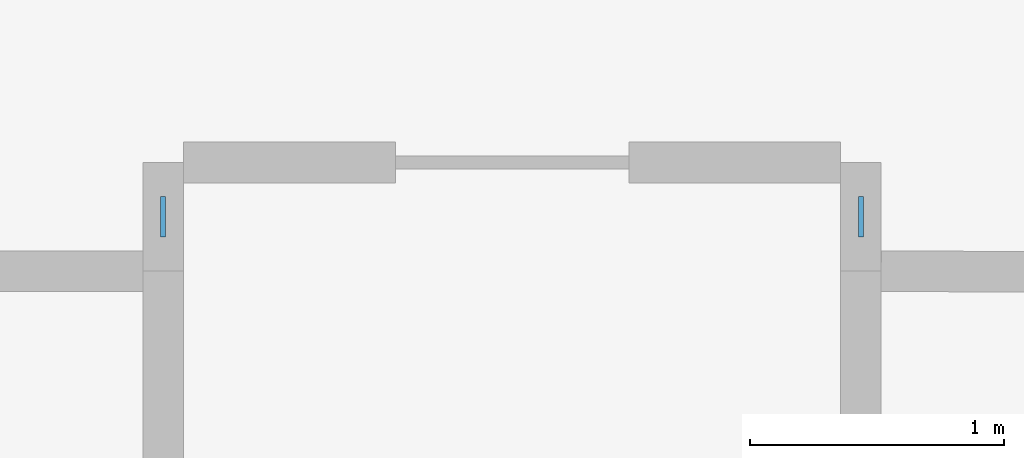
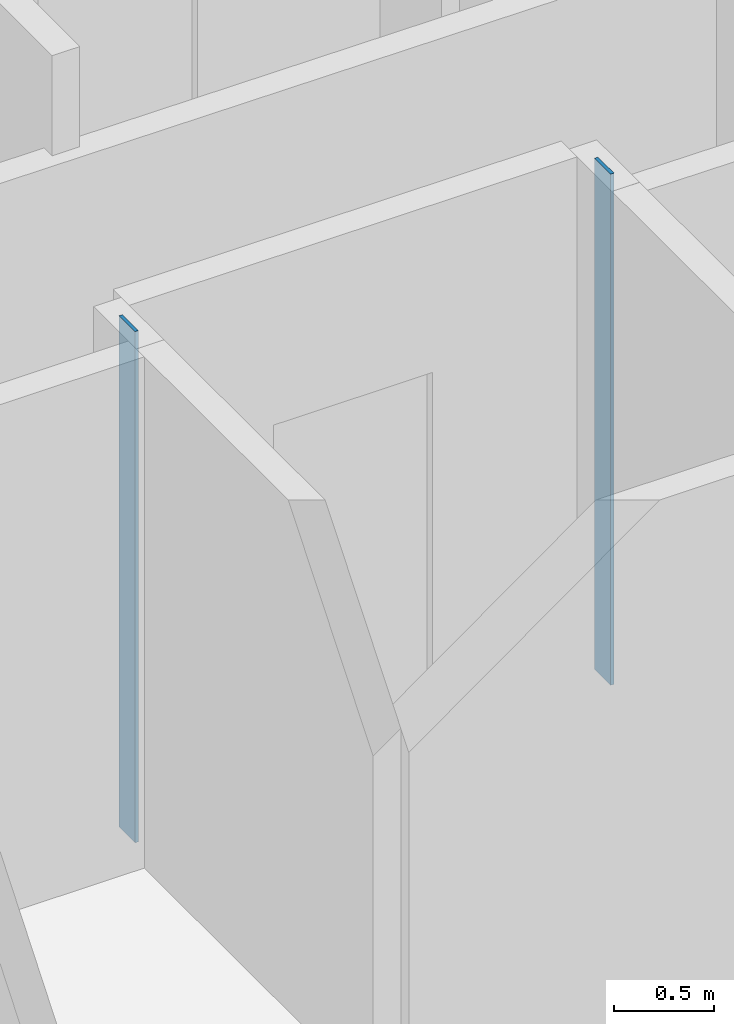
# One storey, part 4 of 13: 2 plates.
"""IFC4 building model written with IfcOpenShell, lengths in metres."""

from ifc_helpers import new_model, si_unit, direction, frame, origin, origin_2d, place, context, subcontext, project, spatial, rectangle, extrude, material, layer, layer_set, type_object, element, save


model = new_model("IFC4")

# Units and contexts
model_context = context("Model", 3, precision=1e-05, world=origin(), true_north=direction((0.0, 1.0)))
body_context = subcontext(model_context, "Body", "Model", "MODEL_VIEW")
ifc_project = project(units=[si_unit("LENGTHUNIT", "METRE"), si_unit("AREAUNIT", "SQUARE_METRE"), si_unit("VOLUMEUNIT", "CUBIC_METRE"), si_unit("PLANEANGLEUNIT", "RADIAN"), si_unit("MASSUNIT", "GRAM", prefix="KILO")], contexts=[model_context])

# Site, building, storey
site_placement = place(None, origin())
site = spatial("IfcSite", under=ifc_project, at=site_placement, CompositionType="ELEMENT")
building_placement = place(site_placement, origin())
building = spatial("IfcBuilding", under=site, at=building_placement, Name="Miruveldt Soraemaru", CompositionType="ELEMENT")
storey_placement = place(building_placement, frame((0.0, 0.0, 59.800048828125)))
storey = spatial("IfcBuildingStorey", under=building, at=storey_placement, Name="L16", CompositionType="ELEMENT", Elevation=59.800048828125)

# Plates
ifc_material = material(Name="Anodised aluminium EN AW-6063 T6", Category="aluminium")
ifc_layer = layer(ifc_material, 0.02001953125, Name="Anodised aluminium EN AW-6063 T6", Category="aluminium")
ifc_layer_set = layer_set([ifc_layer], Name="Anodised aluminium EN AW-6063 T6")
plate_type = type_object("IfcPlateType", Name="PLT-PART-TRIM", PredefinedType="SHEET", material=ifc_layer_set)
for number, where, z_axis, x_axis, name in (
    (1, (65.1298828125, 31.1640625, 0.0), (0.0, 0.0, 1.0), (0.0, 1.0, 0.0), "L16 Partition Step Corner Trim Plate 084"),
    (2, (62.3798828125, 31.1640625, 0.0), (0.0, 0.0, 1.0), (0.0, -1.0, 0.0), "L16 Partition Step Corner Trim Plate 086"),
):
    element("IfcPlate", number, at=place(storey_placement, frame(where, z_axis=z_axis, x_axis=x_axis)), inside=storey, type_object=plate_type, Name=name, PredefinedType="SHEET", context=body_context, shape_type="SweptSolid", body=[
        extrude(rectangle(XDim=0.159912109375, YDim=0.02001953125, at=origin_2d()), origin(), (0.0, 0.0, 1.0), 3.125),
    ])

save(model, "model.ifc")
